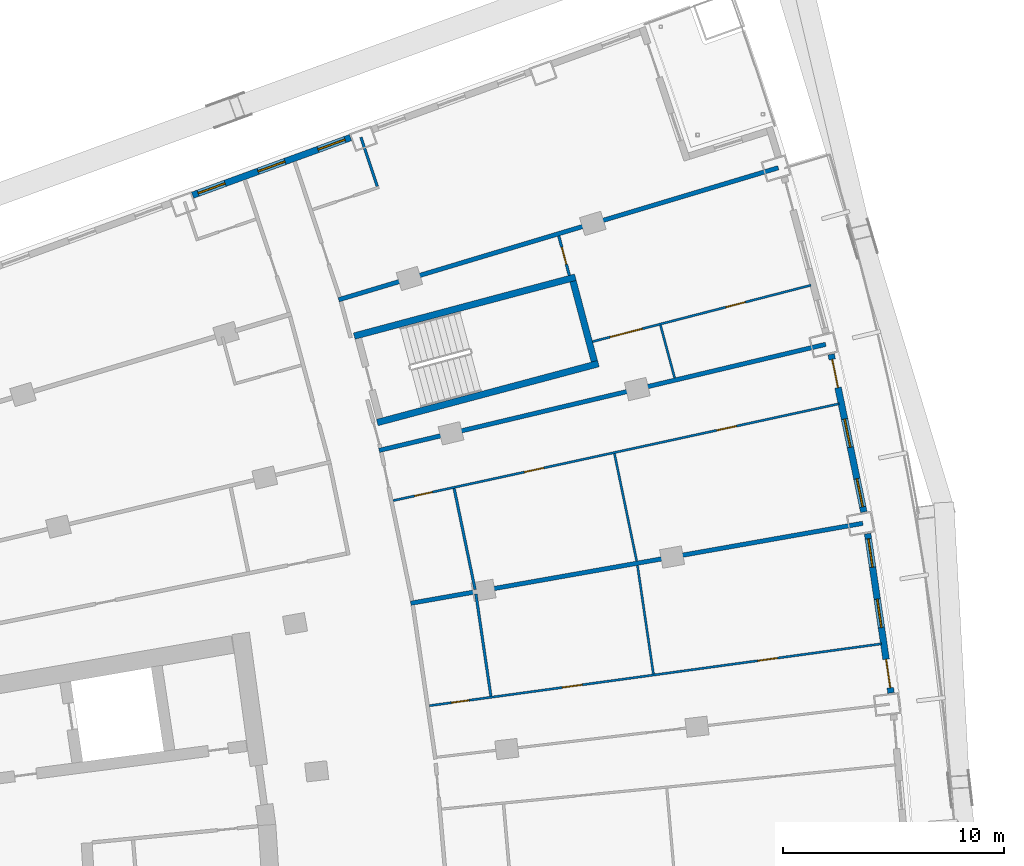
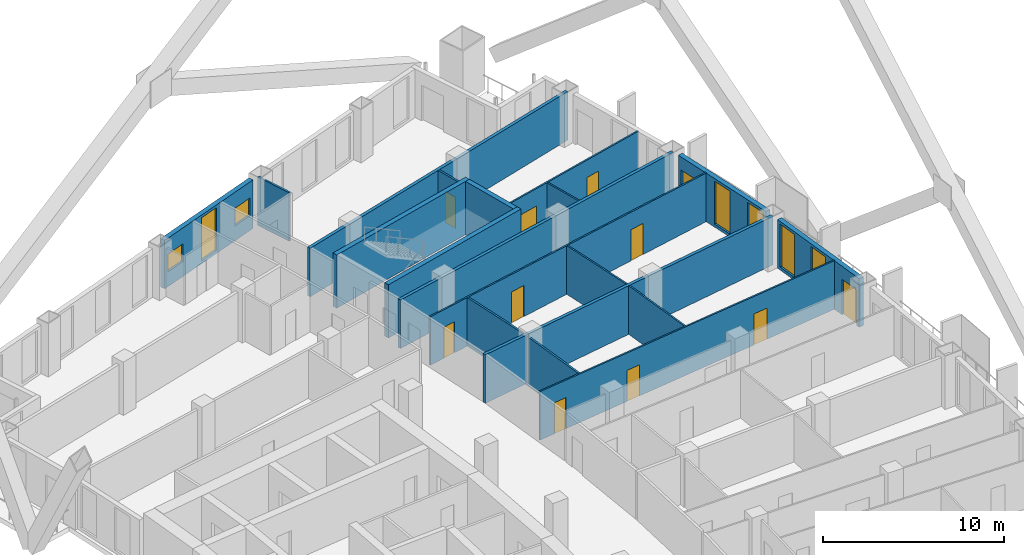
# One storey, part 21 of 26: 19 walls, 11 doors, 7 windows, 18 openings.
"""IFC4 building model written with IfcOpenShell, lengths in metres."""

from ifc_helpers import new_model, si_unit, direction, frame, frame_2d, origin, place, context, subcontext, project, spatial, rectangle, extrude, material, layer, layer_set, type_object, element, fill, save


model = new_model("IFC4")

# Units and contexts
model_context = context("Model", 3, precision=1e-05, world=origin(), true_north=direction((0.0, 1.0)))
body_context = subcontext(model_context, "Body", "Model", "MODEL_VIEW")
ifc_project = project(units=[si_unit("LENGTHUNIT", "METRE"), si_unit("AREAUNIT", "SQUARE_METRE"), si_unit("VOLUMEUNIT", "CUBIC_METRE"), si_unit("PLANEANGLEUNIT", "RADIAN"), si_unit("MASSUNIT", "GRAM", prefix="KILO")], contexts=[model_context])

# Site, building, storey
site_placement = place(None, origin())
site = spatial("IfcSite", under=ifc_project, at=site_placement, CompositionType="ELEMENT")
building_placement = place(site_placement, origin())
building = spatial("IfcBuilding", under=site, at=building_placement, Name="Alderwake Tower", CompositionType="ELEMENT")
storey_placement = place(building_placement, frame((0.0, 0.0, 82.39990234375)))
storey = spatial("IfcBuildingStorey", under=building, at=storey_placement, Name="L19", CompositionType="ELEMENT", Elevation=82.39990234375)

# Walls
ifc_material_1 = material(Name="Concrete C70/85", Category="concrete")
ifc_layer_1 = layer(ifc_material_1, 0.300048828125)
ifc_layer_set_1 = layer_set([ifc_layer_1], Name="Core wall stair enclosure 300 C70-85")
wall_type_1 = type_object("IfcWallType", Name="Core wall stair enclosure 300 C70-85", PredefinedType="SHEAR", material=ifc_layer_set_1)
for number, where, z_axis, x_axis, name in (
    (1, (36.71142578125, 94.182373046875, 0.0), (0.0, 0.0, 1.0), (0.966309214305, 0.257383958996, 0.0), "Core wall CW.082"),
    (2, (37.75390625, 90.268798828125, 0.0), (0.0, 0.0, 1.0), (0.966309214305, 0.257383958996, 0.0), "Core wall CW.084"),
):
    element("IfcWall", number, at=place(storey_placement, frame(where, z_axis=z_axis, x_axis=x_axis)), inside=storey, type_object=wall_type_1, Name=name, PredefinedType="SHEAR", context=body_context, shape_type="SweptSolid", body=[
        extrude(rectangle(XDim=10.360107421875, YDim=0.300048828125, at=frame_2d((5.18017578125, 0.0))), origin(), (0.0, 0.0, 1.0), 3.60009765625),
    ])
wall_1_placement = place(storey_placement, frame((47.581298828125, 93.041748046875, 0.0), z_axis=(0.0, 0.0, 1.0), x_axis=(-0.257366821694, 0.966313778796, 0.0)))
element("IfcWall", 3, at=wall_1_placement, inside=storey, type_object=wall_type_1, Name="Core wall CW.081", PredefinedType="SHEAR", context=body_context, shape_type="SweptSolid", body=[
    extrude(rectangle(XDim=3.749755859375, YDim=0.300048828125, at=frame_2d((1.875, 0.0))), origin(), (0.0, 0.0, 1.0), 3.60009765625),
])

# Wall, openings, door, windows
ifc_material_2 = material(Name="Precast concrete C50/60 spandrel panel", Category="concrete")
ifc_layer_2 = layer(ifc_material_2, 0.300048828125)
ifc_layer_set_2 = layer_set([ifc_layer_2], Name="External wall EW1 Precast concrete C50/60 spandrel")
wall_type_2 = type_object("IfcWallType", Name="External wall EW1 Precast concrete C50/60 spandrel", PredefinedType="SOLIDWALL", material=ifc_layer_set_2)
wall_2_placement = place(storey_placement, frame((61.01171875, 78.028564453125, 0.0), z_axis=(0.0, 0.0, 1.0), x_axis=(-0.145299158465, 0.989387767536, 0.0)))
wall_2 = element("IfcWall", 4, at=wall_2_placement, inside=storey, type_object=wall_type_2, Name="External wall 19", PredefinedType="SOLIDWALL", context=body_context, shape_type="SweptSolid", body=[
    extrude(rectangle(XDim=7.287353515625, YDim=0.300048828125, at=frame_2d((3.6435546875, 0.0))), origin(), (0.0, 0.0, 1.0), 3.280029296875),
])
opening_1_placement = place(wall_2_placement, frame((0.23681640625, 0.0, 0.0)))
opening_1 = element("IfcOpeningElement", 5, at=opening_1_placement, cuts=wall_2, Name="Opening D09", PredefinedType="OPENING", context=body_context, shape_type="SweptSolid", body=[
    extrude(rectangle(XDim=1.300048828125, YDim=2.39990234375, at=frame_2d((0.64990234375, 1.199951171875))), frame((0.0, 0.159912109375, 0.0), z_axis=(0.0, -1.0, 0.0), x_axis=(1.0, 0.0, 0.0)), (0.0, 0.0, 1.0), 0.320068359375),
])
opening_2_placement = place(wall_2_placement, frame((2.99365234375, 0.0, 0.199951171875)))
opening_2 = element("IfcOpeningElement", 6, at=opening_2_placement, cuts=wall_2, Name="Opening W1", PredefinedType="OPENING", context=body_context, shape_type="SweptSolid", body=[
    extrude(rectangle(XDim=1.300048828125, YDim=2.89990234375, at=frame_2d((0.64990234375, 1.449951171875))), frame((0.0, 0.159912109375, 0.0), z_axis=(0.0, -1.0, 0.0), x_axis=(1.0, 0.0, 0.0)), (0.0, 0.0, 1.0), 0.320068359375),
])
opening_3_placement = place(wall_2_placement, frame((5.75048828125, 0.0, 0.199951171875)))
opening_3 = element("IfcOpeningElement", 7, at=opening_3_placement, cuts=wall_2, Name="Opening W1", PredefinedType="OPENING", context=body_context, shape_type="SweptSolid", body=[
    extrude(rectangle(XDim=1.300048828125, YDim=2.89990234375, at=frame_2d((0.64990234375, 1.449951171875))), frame((0.0, 0.159912109375, 0.0), z_axis=(0.0, -1.0, 0.0), x_axis=(1.0, 0.0, 0.0)), (0.0, 0.0, 1.0), 0.320068359375),
])
ifc_material_3 = material(Name="Bronze tinted glass in aluminium frame", Category="aluminium")
door_type_1 = type_object("IfcDoorType", Name="Balcony door BD sliding", OperationType="SLIDING_TO_LEFT", PredefinedType="DOOR", material=ifc_material_3)
door_1_placement = place(opening_1_placement, origin())
door_1 = element("IfcDoor", 8, at=door_1_placement, inside=storey, type_object=door_type_1, Name="Door D09", OperationType="SLIDING_TO_LEFT", OverallHeight=2.39990234375, OverallWidth=1.300048828125, PredefinedType="DOOR", context=body_context, shape_type="SweptSolid", body=[
    extrude(rectangle(XDim=1.300048828125, YDim=2.39990234375, at=frame_2d((0.64990234375, 1.199951171875))), frame((0.0, 0.02490234375, 0.0), z_axis=(0.0, -1.0, 0.0), x_axis=(1.0, 0.0, 0.0)), (0.0, 0.0, 1.0), 0.050048828125),
])
fill(opening_1, door_1)
ifc_material_4 = material(Name="Bronze tinted glass in aluminium frame", Category="aluminium")
window_type_1 = type_object("IfcWindowType", Name="Window W1 tall fixed and vent", PartitioningType="DOUBLE_PANEL_VERTICAL", PredefinedType="WINDOW", material=ifc_material_4)
window_1_placement = place(opening_2_placement, origin())
window_1 = element("IfcWindow", 9, at=window_1_placement, inside=storey, type_object=window_type_1, Name="Window W1 tall fixed and vent", OverallHeight=2.89990234375, OverallWidth=1.300048828125, PartitioningType="DOUBLE_PANEL_VERTICAL", PredefinedType="WINDOW", context=body_context, shape_type="SweptSolid", body=[
    extrude(rectangle(XDim=1.300048828125, YDim=2.89990234375, at=frame_2d((0.64990234375, 1.449951171875))), frame((0.0, 0.030029296875, 0.0), z_axis=(0.0, -1.0, 0.0), x_axis=(1.0, 0.0, 0.0)), (0.0, 0.0, 1.0), 0.06005859375),
])
fill(opening_2, window_1)
window_2_placement = place(opening_3_placement, origin())
window_2 = element("IfcWindow", 10, at=window_2_placement, inside=storey, type_object=window_type_1, Name="Window W1 tall fixed and vent", OverallHeight=2.89990234375, OverallWidth=1.300048828125, PartitioningType="DOUBLE_PANEL_VERTICAL", PredefinedType="WINDOW", context=body_context, shape_type="SweptSolid", body=[
    extrude(rectangle(XDim=1.300048828125, YDim=2.89990234375, at=frame_2d((0.64990234375, 1.449951171875))), frame((0.0, 0.030029296875, 0.0), z_axis=(0.0, -1.0, 0.0), x_axis=(1.0, 0.0, 0.0)), (0.0, 0.0, 1.0), 0.06005859375),
])
fill(opening_3, window_2)

wall_3_placement = place(storey_placement, frame((59.779296875, 86.220458984375, 0.0), z_axis=(0.0, 0.0, 1.0), x_axis=(-0.202747398162, 0.979231072086, 0.0)))
wall_3 = element("IfcWall", 11, at=wall_3_placement, inside=storey, type_object=wall_type_2, Name="External wall 20", PredefinedType="SOLIDWALL", context=body_context, shape_type="SweptSolid", body=[
    extrude(rectangle(XDim=7.28759765625, YDim=0.300048828125, at=frame_2d((3.643798828125, 0.0))), origin(), (0.0, 0.0, 1.0), 3.280029296875),
])
opening_4_placement = place(wall_3_placement, frame((0.23681640625, 0.0, 0.199951171875)))
opening_4 = element("IfcOpeningElement", 12, at=opening_4_placement, cuts=wall_3, Name="Opening W1", PredefinedType="OPENING", context=body_context, shape_type="SweptSolid", body=[
    extrude(rectangle(XDim=1.300048828125, YDim=2.89990234375, at=frame_2d((0.64990234375, 1.449951171875))), frame((0.0, 0.159912109375, 0.0), z_axis=(0.0, -1.0, 0.0), x_axis=(1.0, 0.0, 0.0)), (0.0, 0.0, 1.0), 0.320068359375),
])
opening_5_placement = place(wall_3_placement, frame((2.99365234375, 0.0, 0.199951171875)))
opening_5 = element("IfcOpeningElement", 13, at=opening_5_placement, cuts=wall_3, Name="Opening W1", PredefinedType="OPENING", context=body_context, shape_type="SweptSolid", body=[
    extrude(rectangle(XDim=1.300048828125, YDim=2.89990234375, at=frame_2d((0.64990234375, 1.449951171875))), frame((0.0, 0.159912109375, 0.0), z_axis=(0.0, -1.0, 0.0), x_axis=(1.0, 0.0, 0.0)), (0.0, 0.0, 1.0), 0.320068359375),
])
opening_6_placement = place(wall_3_placement, frame((5.75048828125, 0.0, 0.0)))
opening_6 = element("IfcOpeningElement", 14, at=opening_6_placement, cuts=wall_3, Name="Opening D10", PredefinedType="OPENING", context=body_context, shape_type="SweptSolid", body=[
    extrude(rectangle(XDim=1.300048828125, YDim=2.39990234375, at=frame_2d((0.64990234375, 1.199951171875))), frame((0.0, 0.159912109375, 0.0), z_axis=(0.0, -1.0, 0.0), x_axis=(1.0, 0.0, 0.0)), (0.0, 0.0, 1.0), 0.320068359375),
])
door_2_placement = place(opening_6_placement, origin())
door_2 = element("IfcDoor", 15, at=door_2_placement, inside=storey, type_object=door_type_1, Name="Door D10", OperationType="SLIDING_TO_LEFT", OverallHeight=2.39990234375, OverallWidth=1.300048828125, PredefinedType="DOOR", context=body_context, shape_type="SweptSolid", body=[
    extrude(rectangle(XDim=1.300048828125, YDim=2.39990234375, at=frame_2d((0.64990234375, 1.199951171875))), frame((0.0, 0.02490234375, 0.0), z_axis=(0.0, -1.0, 0.0), x_axis=(1.0, 0.0, 0.0)), (0.0, 0.0, 1.0), 0.050048828125),
])
fill(opening_6, door_2)
window_3_placement = place(opening_4_placement, origin())
window_3 = element("IfcWindow", 16, at=window_3_placement, inside=storey, type_object=window_type_1, Name="Window W1 tall fixed and vent", OverallHeight=2.89990234375, OverallWidth=1.300048828125, PartitioningType="DOUBLE_PANEL_VERTICAL", PredefinedType="WINDOW", context=body_context, shape_type="SweptSolid", body=[
    extrude(rectangle(XDim=1.300048828125, YDim=2.89990234375, at=frame_2d((0.64990234375, 1.449951171875))), frame((0.0, 0.030029296875, 0.0), z_axis=(0.0, -1.0, 0.0), x_axis=(1.0, 0.0, 0.0)), (0.0, 0.0, 1.0), 0.06005859375),
])
fill(opening_4, window_3)
window_4_placement = place(opening_5_placement, origin())
window_4 = element("IfcWindow", 17, at=window_4_placement, inside=storey, type_object=window_type_1, Name="Window W1 tall fixed and vent", OverallHeight=2.89990234375, OverallWidth=1.300048828125, PartitioningType="DOUBLE_PANEL_VERTICAL", PredefinedType="WINDOW", context=body_context, shape_type="SweptSolid", body=[
    extrude(rectangle(XDim=1.300048828125, YDim=2.89990234375, at=frame_2d((0.64990234375, 1.449951171875))), frame((0.0, 0.030029296875, 0.0), z_axis=(0.0, -1.0, 0.0), x_axis=(1.0, 0.0, 0.0)), (0.0, 0.0, 1.0), 0.06005859375),
])
fill(opening_5, window_4)

# Wall, openings, windows
ifc_material_5 = material(Name="Bronze metal cladding on lightweight framing")
ifc_layer_3 = layer(ifc_material_5, 0.300048828125)
ifc_layer_set_3 = layer_set([ifc_layer_3], Name="External wall EW2 bronze metal cladding")
wall_type_3 = type_object("IfcWallType", Name="External wall EW2 bronze metal cladding", PredefinedType="SOLIDWALL", material=ifc_layer_set_3)
wall_4_placement = place(storey_placement, frame((36.544189453125, 103.169189453125, 0.0), z_axis=(0.0, 0.0, 1.0), x_axis=(-0.939383555457, -0.342868102536, 0.0)))
wall_4 = element("IfcWall", 18, at=wall_4_placement, inside=storey, type_object=wall_type_3, Name="External wall 27", PredefinedType="SOLIDWALL", context=body_context, shape_type="SweptSolid", body=[
    extrude(rectangle(XDim=7.612548828125, YDim=0.300048828125, at=frame_2d((3.80615234375, 0.0))), origin(), (0.0, 0.0, 1.0), 3.280029296875),
])
opening_7_placement = place(wall_4_placement, frame((0.267333984375, 0.0, 1.0)))
opening_7 = element("IfcOpeningElement", 19, at=opening_7_placement, cuts=wall_4, Name="Opening W2", PredefinedType="OPENING", context=body_context, shape_type="SweptSolid", body=[
    extrude(rectangle(XDim=1.300048828125, YDim=1.199951171875, at=frame_2d((0.64990234375, 0.60009765625))), frame((0.0, 0.159912109375, 0.0), z_axis=(0.0, -1.0, 0.0), x_axis=(1.0, 0.0, 0.0)), (0.0, 0.0, 1.0), 0.320068359375),
])
opening_8_placement = place(wall_4_placement, frame((3.156494140625, 0.0, 0.199951171875)))
opening_8 = element("IfcOpeningElement", 20, at=opening_8_placement, cuts=wall_4, Name="Opening W1", PredefinedType="OPENING", context=body_context, shape_type="SweptSolid", body=[
    extrude(rectangle(XDim=1.300048828125, YDim=2.89990234375, at=frame_2d((0.64990234375, 1.449951171875))), frame((0.0, 0.159912109375, 0.0), z_axis=(0.0, -1.0, 0.0), x_axis=(1.0, 0.0, 0.0)), (0.0, 0.0, 1.0), 0.320068359375),
])
opening_9_placement = place(wall_4_placement, frame((6.04541015625, 0.0, 1.0)))
opening_9 = element("IfcOpeningElement", 21, at=opening_9_placement, cuts=wall_4, Name="Opening W2", PredefinedType="OPENING", context=body_context, shape_type="SweptSolid", body=[
    extrude(rectangle(XDim=1.300048828125, YDim=1.199951171875, at=frame_2d((0.64990234375, 0.60009765625))), frame((0.0, 0.159912109375, 0.0), z_axis=(0.0, -1.0, 0.0), x_axis=(1.0, 0.0, 0.0)), (0.0, 0.0, 1.0), 0.320068359375),
])
window_5_placement = place(opening_8_placement, origin())
window_5 = element("IfcWindow", 22, at=window_5_placement, inside=storey, type_object=window_type_1, Name="Window W1 tall fixed and vent", OverallHeight=2.89990234375, OverallWidth=1.300048828125, PartitioningType="DOUBLE_PANEL_VERTICAL", PredefinedType="WINDOW", context=body_context, shape_type="SweptSolid", body=[
    extrude(rectangle(XDim=1.300048828125, YDim=2.89990234375, at=frame_2d((0.64990234375, 1.449951171875))), frame((0.0, 0.030029296875, 0.0), z_axis=(0.0, -1.0, 0.0), x_axis=(1.0, 0.0, 0.0)), (0.0, 0.0, 1.0), 0.06005859375),
])
fill(opening_8, window_5)
ifc_material_6 = material(Name="Bronze tinted glass in aluminium frame", Category="aluminium")
window_type_2 = type_object("IfcWindowType", Name="Window W2 kitchen and bath", PartitioningType="SINGLE_PANEL", PredefinedType="WINDOW", material=ifc_material_6)
window_6_placement = place(opening_7_placement, origin())
window_6 = element("IfcWindow", 23, at=window_6_placement, inside=storey, type_object=window_type_2, Name="Window W2 kitchen and bath", OverallHeight=1.199951171875, OverallWidth=1.300048828125, PartitioningType="SINGLE_PANEL", PredefinedType="WINDOW", context=body_context, shape_type="SweptSolid", body=[
    extrude(rectangle(XDim=1.300048828125, YDim=1.199951171875, at=frame_2d((0.64990234375, 0.60009765625))), frame((0.0, 0.030029296875, 0.0), z_axis=(0.0, -1.0, 0.0), x_axis=(1.0, 0.0, 0.0)), (0.0, 0.0, 1.0), 0.06005859375),
])
fill(opening_7, window_6)
window_7_placement = place(opening_9_placement, origin())
window_7 = element("IfcWindow", 24, at=window_7_placement, inside=storey, type_object=window_type_2, Name="Window W2 kitchen and bath", OverallHeight=1.199951171875, OverallWidth=1.300048828125, PartitioningType="SINGLE_PANEL", PredefinedType="WINDOW", context=body_context, shape_type="SweptSolid", body=[
    extrude(rectangle(XDim=1.300048828125, YDim=1.199951171875, at=frame_2d((0.64990234375, 0.60009765625))), frame((0.0, 0.030029296875, 0.0), z_axis=(0.0, -1.0, 0.0), x_axis=(1.0, 0.0, 0.0)), (0.0, 0.0, 1.0), 0.06005859375),
])
fill(opening_9, window_7)

# Walls
ifc_material_7 = material(Name="Dense block masonry wall", Category="masonry")
ifc_layer_4 = layer(ifc_material_7, 0.199951171875)
ifc_layer_set_4 = layer_set([ifc_layer_4], Name="Party wall 200")
wall_type_4 = type_object("IfcWallType", Name="Party wall 200", PredefinedType="SOLIDWALL", material=ifc_layer_set_4)
wall_5_placement = place(storey_placement, frame((37.839111328125, 89.006591796875, 0.0), z_axis=(0.0, 0.0, 1.0), x_axis=(0.972915151152, 0.231162515686, 0.0)))
element("IfcWall", 25, at=wall_5_placement, inside=storey, type_object=wall_type_4, Name="WL/L19/W07", PredefinedType="SOLIDWALL", context=body_context, shape_type="SweptSolid", body=[
    extrude(rectangle(XDim=20.779541015625, YDim=0.199951171875, at=frame_2d((10.3896484375, 0.0))), origin(), (0.0, 0.0, 1.0), 3.280029296875),
])
wall_6_placement = place(storey_placement, frame((55.907958984375, 101.802001953125, 0.0), z_axis=(0.0, 0.0, 1.0), x_axis=(-0.957772916743, -0.287525720507, 0.0)))
element("IfcWall", 26, at=wall_6_placement, inside=storey, type_object=wall_type_4, Name="WL/L19/W08", PredefinedType="SOLIDWALL", context=body_context, shape_type="SweptSolid", body=[
    extrude(rectangle(XDim=20.781005859375, YDim=0.199951171875, at=frame_2d((10.390625, 0.0))), origin(), (0.0, 0.0, 1.0), 3.280029296875),
])
wall_7_placement = place(storey_placement, frame((59.73291015625, 85.70703125, 0.0), z_axis=(0.0, 0.0, 1.0), x_axis=(-0.984712278079, -0.174188775183, 0.0)))
element("IfcWall", 27, at=wall_7_placement, inside=storey, type_object=wall_type_4, Name="WL/L19/W09", PredefinedType="SOLIDWALL", context=body_context, shape_type="SweptSolid", body=[
    extrude(rectangle(XDim=20.78125, YDim=0.199951171875, at=frame_2d((10.390625, 0.0))), origin(), (0.0, 0.0, 1.0), 3.280029296875),
])

# Wall, openings, doors
ifc_material_8 = material(Name="Gypsum board on metal studs")
ifc_layer_5 = layer(ifc_material_8, 0.10009765625)
ifc_layer_set_5 = layer_set([ifc_layer_5], Name="Unit partition 100")
wall_type_5 = type_object("IfcWallType", Name="Unit partition 100", PredefinedType="PARTITIONING", material=ifc_layer_set_5)
wall_8_placement = place(storey_placement, frame((58.662109375, 91.118896484375, 0.0), z_axis=(0.0, 0.0, 1.0), x_axis=(-0.977229871325, -0.212183360777, 0.0)))
wall_8 = element("IfcWall", 28, at=wall_8_placement, inside=storey, type_object=wall_type_5, Name="WL/L19/W66", PredefinedType="PARTITIONING", context=body_context, shape_type="SweptSolid", body=[
    extrude(rectangle(XDim=20.660400390625, YDim=0.10009765625, at=frame_2d((10.330078125, 0.0))), origin(), (0.0, 0.0, 1.0), 3.280029296875),
])
opening_10_placement = place(wall_8_placement, frame((13.6796875, 0.0, 0.0)))
opening_10 = element("IfcOpeningElement", 29, at=opening_10_placement, cuts=wall_8, Name="Opening R05-U08.1", PredefinedType="OPENING", context=body_context, shape_type="SweptSolid", body=[
    extrude(rectangle(XDim=0.89990234375, YDim=2.10009765625, at=frame_2d((0.449951171875, 1.050048828125))), frame((0.0, 0.06005859375, 0.0), z_axis=(0.0, -1.0, 0.0), x_axis=(1.0, 0.0, 0.0)), (0.0, 0.0, 1.0), 0.1201171875),
])
opening_11_placement = place(wall_8_placement, frame((18.851318359375, 0.0, 0.0)))
opening_11 = element("IfcOpeningElement", 30, at=opening_11_placement, cuts=wall_8, Name="Opening R05-U08.3", PredefinedType="OPENING", context=body_context, shape_type="SweptSolid", body=[
    extrude(rectangle(XDim=0.800048828125, YDim=2.10009765625, at=frame_2d((0.39990234375, 1.050048828125))), frame((0.0, 0.06005859375, 0.0), z_axis=(0.0, -1.0, 0.0), x_axis=(1.0, 0.0, 0.0)), (0.0, 0.0, 1.0), 0.1201171875),
])
opening_12_placement = place(wall_8_placement, frame((4.758544921875, 0.0, 0.0)))
opening_12 = element("IfcOpeningElement", 31, at=opening_12_placement, cuts=wall_8, Name="Opening R05-U08.4", PredefinedType="OPENING", context=body_context, shape_type="SweptSolid", body=[
    extrude(rectangle(XDim=0.89990234375, YDim=2.10009765625, at=frame_2d((0.449951171875, 1.050048828125))), frame((0.0, 0.06005859375, 0.0), z_axis=(0.0, -1.0, 0.0), x_axis=(1.0, 0.0, 0.0)), (0.0, 0.0, 1.0), 0.1201171875),
])
ifc_material_9 = material(Name="Painted timber leaf", Category="wood")
door_type_2 = type_object("IfcDoorType", Name="Bathroom door 800", OperationType="SINGLE_SWING_LEFT", PredefinedType="DOOR", material=ifc_material_9)
door_3_placement = place(opening_11_placement, origin())
door_3 = element("IfcDoor", 32, at=door_3_placement, inside=storey, type_object=door_type_2, Name="DR/L19/U08.3", OperationType="SINGLE_SWING_LEFT", OverallHeight=2.10009765625, OverallWidth=0.800048828125, PredefinedType="DOOR", context=body_context, shape_type="SweptSolid", body=[
    extrude(rectangle(XDim=0.800048828125, YDim=2.10009765625, at=frame_2d((0.39990234375, 1.050048828125))), frame((0.0, 0.02490234375, 0.0), z_axis=(0.0, -1.0, 0.0), x_axis=(1.0, 0.0, 0.0)), (0.0, 0.0, 1.0), 0.050048828125),
])
fill(opening_11, door_3)
ifc_material_10 = material(Name="Painted timber leaf", Category="wood")
door_type_3 = type_object("IfcDoorType", Name="Room door 900", OperationType="SINGLE_SWING_LEFT", PredefinedType="DOOR", material=ifc_material_10)
door_4_placement = place(opening_10_placement, origin())
door_4 = element("IfcDoor", 33, at=door_4_placement, inside=storey, type_object=door_type_3, Name="DR/L19/U08.1", OperationType="SINGLE_SWING_LEFT", OverallHeight=2.10009765625, OverallWidth=0.89990234375, PredefinedType="DOOR", context=body_context, shape_type="SweptSolid", body=[
    extrude(rectangle(XDim=0.89990234375, YDim=2.10009765625, at=frame_2d((0.449951171875, 1.050048828125))), frame((0.0, 0.02490234375, 0.0), z_axis=(0.0, -1.0, 0.0), x_axis=(1.0, 0.0, 0.0)), (0.0, 0.0, 1.0), 0.050048828125),
])
fill(opening_10, door_4)
door_5_placement = place(opening_12_placement, origin())
door_5 = element("IfcDoor", 34, at=door_5_placement, inside=storey, type_object=door_type_3, Name="DR/L19/U08.4", OperationType="SINGLE_SWING_LEFT", OverallHeight=2.10009765625, OverallWidth=0.89990234375, PredefinedType="DOOR", context=body_context, shape_type="SweptSolid", body=[
    extrude(rectangle(XDim=0.89990234375, YDim=2.10009765625, at=frame_2d((0.449951171875, 1.050048828125))), frame((0.0, 0.02490234375, 0.0), z_axis=(0.0, -1.0, 0.0), x_axis=(1.0, 0.0, 0.0)), (0.0, 0.0, 1.0), 0.050048828125),
])
fill(opening_12, door_5)

wall_9_placement = place(storey_placement, frame((40.1142578125, 77.449951171875, 0.0), z_axis=(0.0, 0.0, 1.0), x_axis=(0.990755381379, 0.135660511087, 0.0)))
wall_9 = element("IfcWall", 35, at=wall_9_placement, inside=storey, type_object=wall_type_5, Name="WL/L19/W69", PredefinedType="PARTITIONING", context=body_context, shape_type="SweptSolid", body=[
    extrude(rectangle(XDim=20.66162109375, YDim=0.10009765625, at=frame_2d((10.330810546875, 0.0))), origin(), (0.0, 0.0, 1.0), 3.280029296875),
])
opening_13_placement = place(wall_9_placement, frame((6.080078125, 0.0, 0.0)))
opening_13 = element("IfcOpeningElement", 36, at=opening_13_placement, cuts=wall_9, Name="Opening R05-U07.5", PredefinedType="OPENING", context=body_context, shape_type="SweptSolid", body=[
    extrude(rectangle(XDim=0.89990234375, YDim=2.10009765625, at=frame_2d((0.449951171875, 1.050048828125))), frame((0.0, 0.06005859375, 0.0), z_axis=(0.0, -1.0, 0.0), x_axis=(1.0, 0.0, 0.0)), (0.0, 0.0, 1.0), 0.1201171875),
])
opening_14_placement = place(wall_9_placement, frame((1.0087890625, 0.0, 0.0)))
opening_14 = element("IfcOpeningElement", 37, at=opening_14_placement, cuts=wall_9, Name="Opening R05-U07.6", PredefinedType="OPENING", context=body_context, shape_type="SweptSolid", body=[
    extrude(rectangle(XDim=0.800048828125, YDim=2.10009765625, at=frame_2d((0.39990234375, 1.050048828125))), frame((0.0, 0.06005859375, 0.0), z_axis=(0.0, -1.0, 0.0), x_axis=(1.0, 0.0, 0.0)), (0.0, 0.0, 1.0), 0.1201171875),
])
opening_15_placement = place(wall_9_placement, frame((15.001953125, 0.0, 0.0)))
opening_15 = element("IfcOpeningElement", 38, at=opening_15_placement, cuts=wall_9, Name="Opening R05-U07.7", PredefinedType="OPENING", context=body_context, shape_type="SweptSolid", body=[
    extrude(rectangle(XDim=0.89990234375, YDim=2.10009765625, at=frame_2d((0.449951171875, 1.050048828125))), frame((0.0, 0.06005859375, 0.0), z_axis=(0.0, -1.0, 0.0), x_axis=(1.0, 0.0, 0.0)), (0.0, 0.0, 1.0), 0.1201171875),
])
door_6_placement = place(opening_14_placement, origin())
door_6 = element("IfcDoor", 39, at=door_6_placement, inside=storey, type_object=door_type_2, Name="DR/L19/U07.6", OperationType="SINGLE_SWING_LEFT", OverallHeight=2.10009765625, OverallWidth=0.800048828125, PredefinedType="DOOR", context=body_context, shape_type="SweptSolid", body=[
    extrude(rectangle(XDim=0.800048828125, YDim=2.10009765625, at=frame_2d((0.39990234375, 1.050048828125))), frame((0.0, 0.02490234375, 0.0), z_axis=(0.0, -1.0, 0.0), x_axis=(1.0, 0.0, 0.0)), (0.0, 0.0, 1.0), 0.050048828125),
])
fill(opening_14, door_6)
door_7_placement = place(opening_13_placement, origin())
door_7 = element("IfcDoor", 40, at=door_7_placement, inside=storey, type_object=door_type_3, Name="DR/L19/U07.5", OperationType="SINGLE_SWING_LEFT", OverallHeight=2.10009765625, OverallWidth=0.89990234375, PredefinedType="DOOR", context=body_context, shape_type="SweptSolid", body=[
    extrude(rectangle(XDim=0.89990234375, YDim=2.10009765625, at=frame_2d((0.449951171875, 1.050048828125))), frame((0.0, 0.02490234375, 0.0), z_axis=(0.0, -1.0, 0.0), x_axis=(1.0, 0.0, 0.0)), (0.0, 0.0, 1.0), 0.050048828125),
])
fill(opening_13, door_7)
door_8_placement = place(opening_15_placement, origin())
door_8 = element("IfcDoor", 41, at=door_8_placement, inside=storey, type_object=door_type_3, Name="DR/L19/U07.7", OperationType="SINGLE_SWING_LEFT", OverallHeight=2.10009765625, OverallWidth=0.89990234375, PredefinedType="DOOR", context=body_context, shape_type="SweptSolid", body=[
    extrude(rectangle(XDim=0.89990234375, YDim=2.10009765625, at=frame_2d((0.449951171875, 1.050048828125))), frame((0.0, 0.02490234375, 0.0), z_axis=(0.0, -1.0, 0.0), x_axis=(1.0, 0.0, 0.0)), (0.0, 0.0, 1.0), 0.050048828125),
])
fill(opening_15, door_8)

wall_10_placement = place(storey_placement, frame((47.4990234375, 93.93310546875, 0.0), z_axis=(0.0, 0.0, 1.0), x_axis=(0.96824764918, 0.249992979617, 0.0)))
wall_10 = element("IfcWall", 42, at=wall_10_placement, inside=storey, type_object=wall_type_5, Name="WL/L19/W75", PredefinedType="PARTITIONING", context=body_context, shape_type="SweptSolid", body=[
    extrude(rectangle(XDim=10.212158203125, YDim=0.10009765625, at=frame_2d((5.10595703125, 0.0))), origin(), (0.0, 0.0, 1.0), 3.280029296875),
])
opening_16_placement = place(wall_10_placement, frame((0.831787109375, 0.0, 0.0)))
opening_16 = element("IfcOpeningElement", 43, at=opening_16_placement, cuts=wall_10, Name="Opening R05-U02.2", PredefinedType="OPENING", context=body_context, shape_type="SweptSolid", body=[
    extrude(rectangle(XDim=1.5, YDim=2.10009765625, at=frame_2d((0.75, 1.050048828125))), frame((0.0, 0.06005859375, 0.0), z_axis=(0.0, -1.0, 0.0), x_axis=(1.0, 0.0, 0.0)), (0.0, 0.0, 1.0), 0.1201171875),
])
opening_17_placement = place(wall_10_placement, frame((6.23779296875, 0.0, 0.0)))
opening_17 = element("IfcOpeningElement", 44, at=opening_17_placement, cuts=wall_10, Name="Opening R05-U02.3", PredefinedType="OPENING", context=body_context, shape_type="SweptSolid", body=[
    extrude(rectangle(XDim=0.89990234375, YDim=2.10009765625, at=frame_2d((0.449951171875, 1.050048828125))), frame((0.0, 0.06005859375, 0.0), z_axis=(0.0, -1.0, 0.0), x_axis=(1.0, 0.0, 0.0)), (0.0, 0.0, 1.0), 0.1201171875),
])
ifc_material_11 = material(Name="Painted timber leaves", Category="wood")
door_type_4 = type_object("IfcDoorType", Name="Double leaf door 1500", OperationType="DOUBLE_DOOR_SINGLE_SWING", PredefinedType="DOOR", material=ifc_material_11)
door_9_placement = place(opening_16_placement, origin())
door_9 = element("IfcDoor", 45, at=door_9_placement, inside=storey, type_object=door_type_4, Name="DR/L19/U02.2", OperationType="DOUBLE_DOOR_SINGLE_SWING", OverallHeight=2.10009765625, OverallWidth=1.5, PredefinedType="DOOR", context=body_context, shape_type="SweptSolid", body=[
    extrude(rectangle(XDim=1.5, YDim=2.10009765625, at=frame_2d((0.75, 1.050048828125))), frame((0.0, 0.02490234375, 0.0), z_axis=(0.0, -1.0, 0.0), x_axis=(1.0, 0.0, 0.0)), (0.0, 0.0, 1.0), 0.050048828125),
])
fill(opening_16, door_9)
door_10_placement = place(opening_17_placement, origin())
door_10 = element("IfcDoor", 46, at=door_10_placement, inside=storey, type_object=door_type_3, Name="DR/L19/U02.3", OperationType="SINGLE_SWING_LEFT", OverallHeight=2.10009765625, OverallWidth=0.89990234375, PredefinedType="DOOR", context=body_context, shape_type="SweptSolid", body=[
    extrude(rectangle(XDim=0.89990234375, YDim=2.10009765625, at=frame_2d((0.449951171875, 1.050048828125))), frame((0.0, 0.02490234375, 0.0), z_axis=(0.0, -1.0, 0.0), x_axis=(1.0, 0.0, 0.0)), (0.0, 0.0, 1.0), 0.050048828125),
])
fill(opening_17, door_10)

# Walls
wall_11_placement = place(storey_placement, frame((49.497802734375, 83.9990234375, 0.0), z_axis=(0.0, 0.0, 1.0), x_axis=(-0.202441296839, 0.979294399726, 0.0)))
element("IfcWall", 47, at=wall_11_placement, inside=storey, type_object=wall_type_5, Name="WL/L19/W77", PredefinedType="PARTITIONING", context=body_context, shape_type="SweptSolid", body=[
    extrude(rectangle(XDim=4.962646484375, YDim=0.10009765625, at=frame_2d((2.4814453125, 0.0))), origin(), (0.0, 0.0, 1.0), 3.280029296875),
])
wall_12_placement = place(storey_placement, frame((50.254638671875, 78.889404296875, 0.0), z_axis=(0.0, 0.0, 1.0), x_axis=(-0.145392071717, 0.989374118057, 0.0)))
element("IfcWall", 48, at=wall_12_placement, inside=storey, type_object=wall_type_5, Name="WL/L19/W79", PredefinedType="PARTITIONING", context=body_context, shape_type="SweptSolid", body=[
    extrude(rectangle(XDim=4.96533203125, YDim=0.10009765625, at=frame_2d((2.482666015625, 0.0))), origin(), (0.0, 0.0, 1.0), 3.280029296875),
])
wall_13_placement = place(storey_placement, frame((51.217041015625, 92.28662109375, 0.0), z_axis=(0.0, 0.0, 1.0), x_axis=(-0.259442778972, 0.965758481422, 0.0)))
element("IfcWall", 49, at=wall_13_placement, inside=storey, type_object=wall_type_5, Name="WL/L19/W81", PredefinedType="PARTITIONING", context=body_context, shape_type="SweptSolid", body=[
    extrude(rectangle(XDim=2.474853515625, YDim=0.10009765625, at=frame_2d((1.2373046875, 0.0))), origin(), (0.0, 0.0, 1.0), 3.280029296875),
])
ifc_material_12 = material(Name="Moisture resistant gypsum board on metal studs")
ifc_layer_6 = layer(ifc_material_12, 0.1201171875)
ifc_layer_set_6 = layer_set([ifc_layer_6], Name="Wet room partition 120")
wall_type_6 = type_object("IfcWallType", Name="Wet room partition 120", PredefinedType="PARTITIONING", material=ifc_layer_set_6)
wall_14_placement = place(storey_placement, frame((37.754150390625, 100.958984375, 0.0), z_axis=(0.0, 0.0, 1.0), x_axis=(-0.314726191852, 0.949182503085, 0.0)))
element("IfcWall", 50, at=wall_14_placement, inside=storey, type_object=wall_type_6, Name="WL/L19/W53", PredefinedType="PARTITIONING", context=body_context, shape_type="SweptSolid", body=[
    extrude(rectangle(XDim=2.341796875, YDim=0.1201171875, at=frame_2d((1.1708984375, 0.0))), origin(), (0.0, 0.0, 1.0), 3.280029296875),
])
wall_15_placement = place(storey_placement, frame((42.18359375, 82.7060546875, 0.0), z_axis=(0.0, 0.0, 1.0), x_axis=(-0.20267985984, 0.979245053301, 0.0)))
element("IfcWall", 51, at=wall_15_placement, inside=storey, type_object=wall_type_6, Name="WL/L19/W55", PredefinedType="PARTITIONING", context=body_context, shape_type="SweptSolid", body=[
    extrude(rectangle(XDim=4.6748046875, YDim=0.1201171875, at=frame_2d((2.33740234375, 0.0))), origin(), (0.0, 0.0, 1.0), 3.280029296875),
])
wall_16_placement = place(storey_placement, frame((42.898681640625, 77.881591796875, 0.0), z_axis=(0.0, 0.0, 1.0), x_axis=(-0.145424863666, 0.989369298608, 0.0)))
element("IfcWall", 52, at=wall_16_placement, inside=storey, type_object=wall_type_6, Name="WL/L19/W57", PredefinedType="PARTITIONING", context=body_context, shape_type="SweptSolid", body=[
    extrude(rectangle(XDim=4.67724609375, YDim=0.1201171875, at=frame_2d((2.338623046875, 0.0))), origin(), (0.0, 0.0, 1.0), 3.280029296875),
])

# Wall, opening, door
wall_17_placement = place(storey_placement, frame((46.448974609375, 96.929931640625, 0.0), z_axis=(0.0, 0.0, 1.0), x_axis=(-0.258764710752, 0.965940383497, 0.0)))
wall_17 = element("IfcWall", 53, at=wall_17_placement, inside=storey, type_object=wall_type_6, Name="WL/L19/W61", PredefinedType="PARTITIONING", context=body_context, shape_type="SweptSolid", body=[
    extrude(rectangle(XDim=1.847412109375, YDim=0.1201171875, at=frame_2d((0.923828125, 0.0))), origin(), (0.0, 0.0, 1.0), 3.280029296875),
])
opening_18_placement = place(wall_17_placement, frame((0.524169921875, 0.0, 0.0)))
opening_18 = element("IfcOpeningElement", 54, at=opening_18_placement, cuts=wall_17, Name="Opening R05-U02.4", PredefinedType="OPENING", context=body_context, shape_type="SweptSolid", body=[
    extrude(rectangle(XDim=0.800048828125, YDim=2.10009765625, at=frame_2d((0.39990234375, 1.050048828125))), frame((0.0, 0.070068359375, 0.0), z_axis=(0.0, -1.0, 0.0), x_axis=(1.0, 0.0, 0.0)), (0.0, 0.0, 1.0), 0.14013671875),
])
door_11_placement = place(opening_18_placement, origin())
door_11 = element("IfcDoor", 55, at=door_11_placement, inside=storey, type_object=door_type_2, Name="DR/L19/U02.4", OperationType="SINGLE_SWING_LEFT", OverallHeight=2.10009765625, OverallWidth=0.800048828125, PredefinedType="DOOR", context=body_context, shape_type="SweptSolid", body=[
    extrude(rectangle(XDim=0.800048828125, YDim=2.10009765625, at=frame_2d((0.39990234375, 1.050048828125))), frame((0.0, 0.02490234375, 0.0), z_axis=(0.0, -1.0, 0.0), x_axis=(1.0, 0.0, 0.0)), (0.0, 0.0, 1.0), 0.050048828125),
])
fill(opening_18, door_11)

save(model, "model.ifc")
